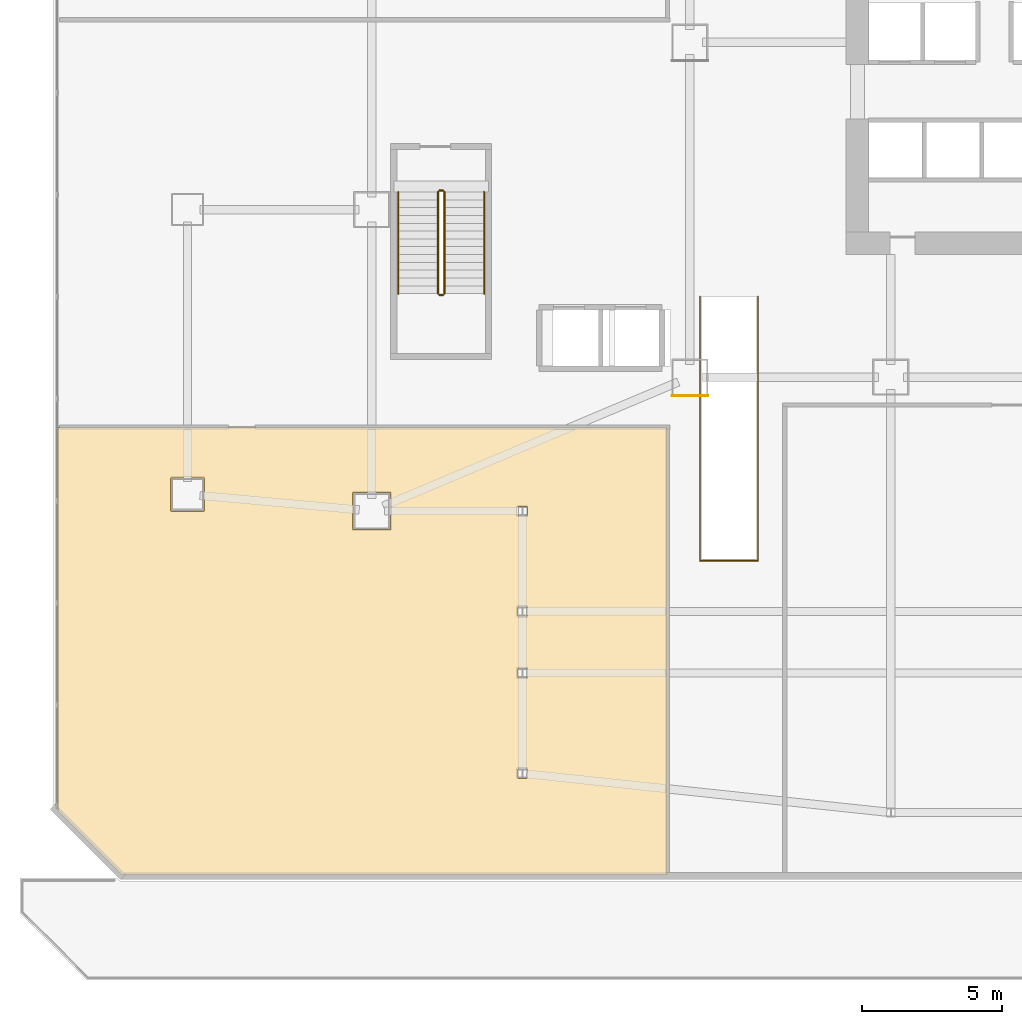
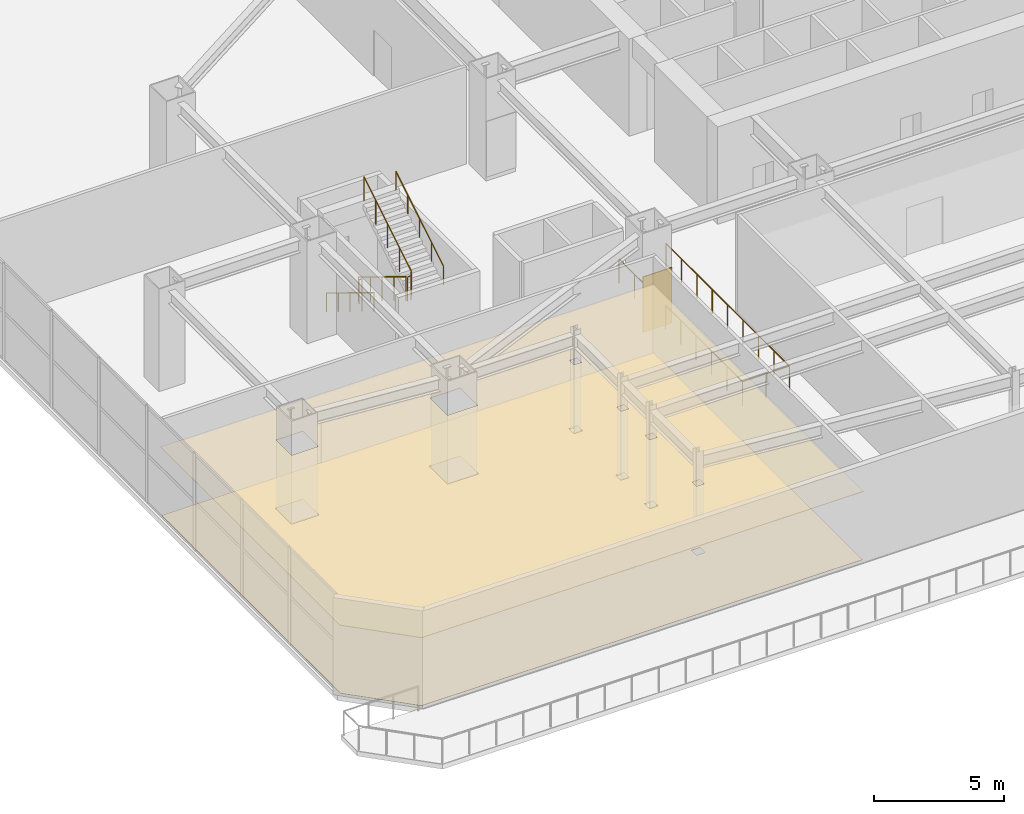
# One storey, part 27 of 31: 7 railings, 3 coverings.
"""IFC4 building model written with IfcOpenShell, lengths in metres."""

from ifc_helpers import new_model, si_unit, direction, frame, origin, origin_2d, place, context, subcontext, project, spatial, polyline, rectangle, circle, outline, extrude, material, layer, layer_set, type_object, element, save


model = new_model("IFC4")

# Units and contexts
model_context = context("Model", 3, precision=1e-05, world=origin(), true_north=direction((0.0, 1.0)))
body_context = subcontext(model_context, "Body", "Model", "MODEL_VIEW")
ifc_project = project(units=[si_unit("LENGTHUNIT", "METRE"), si_unit("AREAUNIT", "SQUARE_METRE"), si_unit("VOLUMEUNIT", "CUBIC_METRE"), si_unit("PLANEANGLEUNIT", "RADIAN"), si_unit("MASSUNIT", "GRAM", prefix="KILO")], contexts=[model_context])

# Site, building, storey
site_placement = place(None, origin())
site = spatial("IfcSite", under=ifc_project, at=site_placement, CompositionType="ELEMENT")
building_placement = place(site_placement, origin())
building = spatial("IfcBuilding", under=site, at=building_placement, Name="Haolan Belvedere Tower", CompositionType="ELEMENT")
storey_placement = place(building_placement, frame((0.0, 0.0, 5.39990234375)))
storey = spatial("IfcBuildingStorey", under=building, at=storey_placement, Name="L01", CompositionType="ELEMENT", Elevation=5.39990234375)

# Coverings
ifc_material_1 = material(Name="Acoustic mineral-fibre suspended ceiling system", Category="masonry")
ifc_layer_1 = layer(ifc_material_1, 0.02490234375, Name="Acoustic mineral-fibre suspended ceiling system")
ifc_layer_set_1 = layer_set([ifc_layer_1], Name="Acoustic mineral-fibre suspended ceiling system")
covering_type_1 = type_object("IfcCoveringType", Name="COV-CEIL-AC25", PredefinedType="CEILING", material=ifc_layer_set_1)
covering_1_placement = place(storey_placement, frame((0.0, 0.0, 3.2001953125)))
element("IfcCovering", 1, at=covering_1_placement, inside=storey, type_object=covering_type_1, Name="L01 suspended acoustic ceiling L01-CANT.2", PredefinedType="CEILING", context=body_context, shape_type="SweptSolid", body=[
    extrude(outline(polyline([(3.62890625, 3.738037109375), (23.2119140625, 3.738037109375), (23.2119140625, 19.81201171875), (1.337890625, 19.81201171875), (1.337890625, 6.02880859375), (3.62890625, 3.738037109375)]), holes=[polyline([(17.8349609375, 7.235107421875), (17.8349609375, 7.56494140625), (18.1650390625, 7.56494140625), (18.1650390625, 7.235107421875), (17.8349609375, 7.235107421875)]), polyline([(17.8349609375, 10.8349609375), (17.8349609375, 11.1650390625), (18.1650390625, 11.1650390625), (18.1650390625, 10.8349609375), (17.8349609375, 10.8349609375)]), polyline([(17.8349609375, 13.034912109375), (17.8349609375, 13.364990234375), (18.1650390625, 13.364990234375), (18.1650390625, 13.034912109375), (17.8349609375, 13.034912109375)]), polyline([(17.8349609375, 16.635009765625), (17.8349609375, 16.965087890625), (18.1650390625, 16.965087890625), (18.1650390625, 16.635009765625), (17.8349609375, 16.635009765625)]), polyline([(11.93505859375, 16.135009765625), (11.93505859375, 17.465087890625), (13.264892578125, 17.465087890625), (13.264892578125, 16.135009765625), (11.93505859375, 16.135009765625)]), polyline([(5.409912109375, 16.81005859375), (5.409912109375, 17.989990234375), (6.590087890625, 17.989990234375), (6.590087890625, 16.81005859375), (5.409912109375, 16.81005859375)])]), origin(), (0.0, 0.0, 1.0), 0.02490234375),
])
ifc_material_2 = material(Name="Pale champagne-silver anodised aluminium rainscreen cladding", Category="aluminium")
ifc_layer_2 = layer(ifc_material_2, 0.034912109375, Name="Pale champagne-silver anodised aluminium rainscreen cladding")
ifc_layer_set_2 = layer_set([ifc_layer_2], Name="Pale champagne-silver anodised aluminium rainscreen cladding")
covering_type_2 = type_object("IfcCoveringType", Name="COV-CLAD-35", PredefinedType="CLADDING", material=ifc_layer_set_2)
covering_2_placement = place(storey_placement, frame((24.0, 20.93505859375, 0.199951171875), z_axis=(0.0, 0.0, 1.0), x_axis=(1.0, 0.0, 0.0)))
element("IfcCovering", 2, at=covering_2_placement, inside=storey, type_object=covering_type_2, Name="L01 pale-metal pier rainscreen cladding 1", PredefinedType="CLADDING", context=body_context, shape_type="SweptSolid", body=[
    extrude(rectangle(XDim=1.300048828125, YDim=0.034912109375, at=origin_2d()), origin(), (0.0, 0.0, 1.0), 2.60009765625),
])
ifc_material_3 = material(Name="Honed terrazzo and natural granite stone flooring", Category="masonry")
ifc_layer_3 = layer(ifc_material_3, 0.014892578125, Name="Honed terrazzo and natural granite stone flooring")
ifc_layer_set_3 = layer_set([ifc_layer_3], Name="Honed terrazzo and natural granite stone flooring")
covering_type_3 = type_object("IfcCoveringType", Name="COV-FLR-STN30", PredefinedType="FLOORING", material=ifc_layer_set_3)
covering_3_placement = place(storey_placement, origin())
element("IfcCovering", 3, at=covering_3_placement, inside=storey, type_object=covering_type_3, Name="L01 polished stone floor finish L01-CANT.2", PredefinedType="FLOORING", context=body_context, shape_type="SweptSolid", body=[
    extrude(outline(polyline([(23.18701171875, 3.762939453125), (23.18701171875, 19.787109375), (1.363037109375, 19.787109375), (1.363037109375, 6.039306640625), (3.63916015625, 3.762939453125), (23.18701171875, 3.762939453125)]), holes=[polyline([(17.81005859375, 7.590087890625), (18.18994140625, 7.590087890625), (18.18994140625, 7.2099609375), (17.81005859375, 7.2099609375), (17.81005859375, 7.590087890625)]), polyline([(17.81005859375, 11.18994140625), (18.18994140625, 11.18994140625), (18.18994140625, 10.81005859375), (17.81005859375, 10.81005859375), (17.81005859375, 11.18994140625)]), polyline([(17.81005859375, 13.389892578125), (18.18994140625, 13.389892578125), (18.18994140625, 13.010009765625), (17.81005859375, 13.010009765625), (17.81005859375, 13.389892578125)]), polyline([(17.81005859375, 16.989990234375), (18.18994140625, 16.989990234375), (18.18994140625, 16.610107421875), (17.81005859375, 16.610107421875), (17.81005859375, 16.989990234375)]), polyline([(11.909912109375, 17.489990234375), (13.2900390625, 17.489990234375), (13.2900390625, 16.110107421875), (11.909912109375, 16.110107421875), (11.909912109375, 17.489990234375)]), polyline([(5.385009765625, 18.014892578125), (6.614990234375, 18.014892578125), (6.614990234375, 16.784912109375), (5.385009765625, 16.784912109375), (5.385009765625, 18.014892578125)])]), origin(), (0.0, 0.0, 1.0), 0.01513671875),
])

# Railings
ifc_material_4 = material(Name="Brushed stainless steel 304", Category="steel")
railing_type_1 = type_object("IfcRailingType", Name="RL-STAIR-GRD-1150", PredefinedType="GUARDRAIL", material=ifc_material_4)
railing_1_placement = place(storey_placement, frame((14.969970703125, 28.22998046875, 0.171630859375)))
element("IfcRailing", 4, at=railing_1_placement, inside=storey, type_object=railing_type_1, Name="L01 ST4 stair guard 1", PredefinedType="GUARDRAIL", context=body_context, shape_type="SweptSolid", body=[
    extrude(circle(Radius=0.02392578125, at=origin_2d()), frame((0.0, 0.0, 1.1259765625), z_axis=(0.0, -0.852850264322, 0.5221555579), x_axis=(1.0, 0.0, 0.0)), (0.0, 0.0, 1.0), 4.267822265625),
    extrude(circle(Radius=0.02099609375, at=origin_2d()), origin(), (0.0, 0.0, 1.0), 1.101806640625),
    extrude(circle(Radius=0.02099609375, at=origin_2d()), frame((0.0, -0.909912109375, 0.55712890625)), (0.0, 0.0, 1.0), 1.101806640625),
    extrude(circle(Radius=0.02099609375, at=origin_2d()), frame((0.0, -1.81982421875, 1.1142578125)), (0.0, 0.0, 1.0), 1.101806640625),
    extrude(circle(Radius=0.02099609375, at=origin_2d()), frame((0.0, -2.72998046875, 1.67138671875)), (0.0, 0.0, 1.0), 1.101806640625),
    extrude(circle(Radius=0.02099609375, at=origin_2d()), frame((0.0, -3.639892578125, 2.228515625)), (0.0, 0.0, 1.0), 1.101806640625),
])
railing_2_placement = place(storey_placement, frame((15.02001953125, 24.5400390625, 2.400146484375)))
element("IfcRailing", 5, at=railing_2_placement, inside=storey, type_object=railing_type_1, Name="L01 ST4 stair guard 2", PredefinedType="GUARDRAIL", context=body_context, shape_type="SweptSolid", body=[
    extrude(circle(Radius=0.02392578125, at=origin_2d()), frame((0.0, 0.0, 1.1259765625), z_axis=(1.0, 0.0, 0.0), x_axis=(0.0, 1.0, 0.0)), (0.0, 0.0, 1.0), 0.139892578125),
    extrude(circle(Radius=0.02099609375, at=origin_2d()), origin(), (0.0, 0.0, 1.0), 1.101806640625),
    extrude(circle(Radius=0.02099609375, at=origin_2d()), frame((0.139892578125, 0.0, 0.0)), (0.0, 0.0, 1.0), 1.101806640625),
])
railing_3_placement = place(storey_placement, frame((15.2099609375, 24.590087890625, 2.571533203125)))
element("IfcRailing", 6, at=railing_3_placement, inside=storey, type_object=railing_type_1, Name="L01 ST4 stair guard 3", PredefinedType="GUARDRAIL", context=body_context, shape_type="SweptSolid", body=[
    extrude(circle(Radius=0.02392578125, at=origin_2d()), frame((0.0, 0.0, 1.1259765625), z_axis=(0.0, 0.852850264322, 0.5221555579), x_axis=(-1.0, 0.0, 0.0)), (0.0, 0.0, 1.0), 4.267822265625),
    extrude(circle(Radius=0.02099609375, at=origin_2d()), origin(), (0.0, 0.0, 1.0), 1.101806640625),
    extrude(circle(Radius=0.02099609375, at=origin_2d()), frame((0.0, 0.909912109375, 0.55712890625)), (0.0, 0.0, 1.0), 1.101806640625),
    extrude(circle(Radius=0.02099609375, at=origin_2d()), frame((0.0, 1.81982421875, 1.1142578125)), (0.0, 0.0, 1.0), 1.101806640625),
    extrude(circle(Radius=0.02099609375, at=origin_2d()), frame((0.0, 2.72998046875, 1.67138671875)), (0.0, 0.0, 1.0), 1.101806640625),
    extrude(circle(Radius=0.02099609375, at=origin_2d()), frame((0.0, 3.639892578125, 2.228515625)), (0.0, 0.0, 1.0), 1.101806640625),
])
railing_4_placement = place(storey_placement, frame((15.02001953125, 28.280029296875, 0.0)))
element("IfcRailing", 7, at=railing_4_placement, inside=storey, type_object=railing_type_1, Name="L01 ST4 stair guard 4", PredefinedType="GUARDRAIL", context=body_context, shape_type="SweptSolid", body=[
    extrude(circle(Radius=0.02392578125, at=origin_2d()), frame((0.0, 0.0, 1.1259765625), z_axis=(1.0, 0.0, 0.0), x_axis=(0.0, 1.0, 0.0)), (0.0, 0.0, 1.0), 0.139892578125),
    extrude(circle(Radius=0.02099609375, at=origin_2d()), origin(), (0.0, 0.0, 1.0), 1.101806640625),
    extrude(circle(Radius=0.02099609375, at=origin_2d()), frame((0.139892578125, 0.0, 0.0)), (0.0, 0.0, 1.0), 1.101806640625),
])
railing_5_placement = place(storey_placement, frame((24.360107421875, 24.485107421875, 0.0)))
element("IfcRailing", 8, at=railing_5_placement, inside=storey, type_object=railing_type_1, Name="L01 ST6 upper well perimeter guard", PredefinedType="GUARDRAIL", context=body_context, shape_type="SweptSolid", body=[
    extrude(circle(Radius=0.02392578125, at=origin_2d()), frame((0.0, 0.0, 1.1259765625), z_axis=(0.0, -1.0, 0.0), x_axis=(1.0, 0.0, 0.0)), (0.0, 0.0, 1.0), 9.465087890625),
    extrude(circle(Radius=0.02392578125, at=origin_2d()), frame((0.0, -9.465087890625, 1.1259765625), z_axis=(1.0, 0.0, 0.0), x_axis=(0.0, 1.0, 0.0)), (0.0, 0.0, 1.0), 2.079833984375),
    extrude(circle(Radius=0.02392578125, at=origin_2d()), frame((2.079833984375, -9.465087890625, 1.1259765625), z_axis=(0.0, 1.0, 0.0), x_axis=(-1.0, 0.0, 0.0)), (0.0, 0.0, 1.0), 9.465087890625),
    extrude(circle(Radius=0.02099609375, at=origin_2d()), origin(), (0.0, 0.0, 1.0), 1.101806640625),
    extrude(circle(Radius=0.02099609375, at=origin_2d()), frame((0.0, -1.18310546875, 0.0)), (0.0, 0.0, 1.0), 1.101806640625),
    extrude(circle(Radius=0.02099609375, at=origin_2d()), frame((0.0, -2.3662109375, 0.0)), (0.0, 0.0, 1.0), 1.101806640625),
    extrude(circle(Radius=0.02099609375, at=origin_2d()), frame((0.0, -3.54931640625, 0.0)), (0.0, 0.0, 1.0), 1.101806640625),
    extrude(circle(Radius=0.02099609375, at=origin_2d()), frame((0.0, -4.732421875, 0.0)), (0.0, 0.0, 1.0), 1.101806640625),
    extrude(circle(Radius=0.02099609375, at=origin_2d()), frame((0.0, -5.915771484375, 0.0)), (0.0, 0.0, 1.0), 1.101806640625),
    extrude(circle(Radius=0.02099609375, at=origin_2d()), frame((0.0, -7.098876953125, 0.0)), (0.0, 0.0, 1.0), 1.101806640625),
    extrude(circle(Radius=0.02099609375, at=origin_2d()), frame((0.0, -8.281982421875, 0.0)), (0.0, 0.0, 1.0), 1.101806640625),
    extrude(circle(Radius=0.02099609375, at=origin_2d()), frame((0.0, -9.465087890625, 0.0)), (0.0, 0.0, 1.0), 1.101806640625),
    extrude(circle(Radius=0.02099609375, at=origin_2d()), frame((1.0400390625, -9.465087890625, 0.0)), (0.0, 0.0, 1.0), 1.101806640625),
    extrude(circle(Radius=0.02099609375, at=origin_2d()), frame((2.079833984375, -9.465087890625, 0.0)), (0.0, 0.0, 1.0), 1.101806640625),
    extrude(circle(Radius=0.02099609375, at=origin_2d()), frame((2.079833984375, -8.281982421875, 0.0)), (0.0, 0.0, 1.0), 1.101806640625),
    extrude(circle(Radius=0.02099609375, at=origin_2d()), frame((2.079833984375, -7.098876953125, 0.0)), (0.0, 0.0, 1.0), 1.101806640625),
    extrude(circle(Radius=0.02099609375, at=origin_2d()), frame((2.079833984375, -5.915771484375, 0.0)), (0.0, 0.0, 1.0), 1.101806640625),
    extrude(circle(Radius=0.02099609375, at=origin_2d()), frame((2.079833984375, -4.732421875, 0.0)), (0.0, 0.0, 1.0), 1.101806640625),
    extrude(circle(Radius=0.02099609375, at=origin_2d()), frame((2.079833984375, -3.54931640625, 0.0)), (0.0, 0.0, 1.0), 1.101806640625),
    extrude(circle(Radius=0.02099609375, at=origin_2d()), frame((2.079833984375, -2.3662109375, 0.0)), (0.0, 0.0, 1.0), 1.101806640625),
    extrude(circle(Radius=0.02099609375, at=origin_2d()), frame((2.079833984375, -1.18310546875, 0.0)), (0.0, 0.0, 1.0), 1.101806640625),
    extrude(circle(Radius=0.02099609375, at=origin_2d()), frame((2.079833984375, 0.0, 0.0)), (0.0, 0.0, 1.0), 1.101806640625),
])
railing_type_2 = type_object("IfcRailingType", Name="RL-STAIR-HND-900", PredefinedType="HANDRAIL", material=ifc_material_4)
railing_6_placement = place(storey_placement, frame((13.550048828125, 28.22998046875, 0.171630859375)))
element("IfcRailing", 9, at=railing_6_placement, inside=storey, type_object=railing_type_2, Name="L01 ST4 stair handrail 1", PredefinedType="HANDRAIL", context=body_context, shape_type="SweptSolid", body=[
    extrude(circle(Radius=0.02392578125, at=origin_2d()), frame((0.0, 0.0, 0.8759765625), z_axis=(0.0, -0.852850264322, 0.5221555579), x_axis=(1.0, 0.0, 0.0)), (0.0, 0.0, 1.0), 4.267822265625),
    extrude(circle(Radius=0.02099609375, at=origin_2d()), origin(), (0.0, 0.0, 1.0), 0.851806640625),
    extrude(circle(Radius=0.02099609375, at=origin_2d()), frame((0.0, -0.909912109375, 0.55712890625)), (0.0, 0.0, 1.0), 0.851806640625),
    extrude(circle(Radius=0.02099609375, at=origin_2d()), frame((0.0, -1.81982421875, 1.1142578125)), (0.0, 0.0, 1.0), 0.851806640625),
    extrude(circle(Radius=0.02099609375, at=origin_2d()), frame((0.0, -2.72998046875, 1.67138671875)), (0.0, 0.0, 1.0), 0.851806640625),
    extrude(circle(Radius=0.02099609375, at=origin_2d()), frame((0.0, -3.639892578125, 2.228515625)), (0.0, 0.0, 1.0), 0.851806640625),
])
railing_7_placement = place(storey_placement, frame((16.6298828125, 24.590087890625, 2.571533203125)))
element("IfcRailing", 10, at=railing_7_placement, inside=storey, type_object=railing_type_2, Name="L01 ST4 stair handrail 2", PredefinedType="HANDRAIL", context=body_context, shape_type="SweptSolid", body=[
    extrude(circle(Radius=0.02392578125, at=origin_2d()), frame((0.0, 0.0, 0.8759765625), z_axis=(0.0, 0.852850264322, 0.5221555579), x_axis=(-1.0, 0.0, 0.0)), (0.0, 0.0, 1.0), 4.267822265625),
    extrude(circle(Radius=0.02099609375, at=origin_2d()), origin(), (0.0, 0.0, 1.0), 0.851806640625),
    extrude(circle(Radius=0.02099609375, at=origin_2d()), frame((0.0, 0.909912109375, 0.55712890625)), (0.0, 0.0, 1.0), 0.851806640625),
    extrude(circle(Radius=0.02099609375, at=origin_2d()), frame((0.0, 1.81982421875, 1.1142578125)), (0.0, 0.0, 1.0), 0.851806640625),
    extrude(circle(Radius=0.02099609375, at=origin_2d()), frame((0.0, 2.72998046875, 1.67138671875)), (0.0, 0.0, 1.0), 0.851806640625),
    extrude(circle(Radius=0.02099609375, at=origin_2d()), frame((0.0, 3.639892578125, 2.228515625)), (0.0, 0.0, 1.0), 0.851806640625),
])

save(model, "model.ifc")
